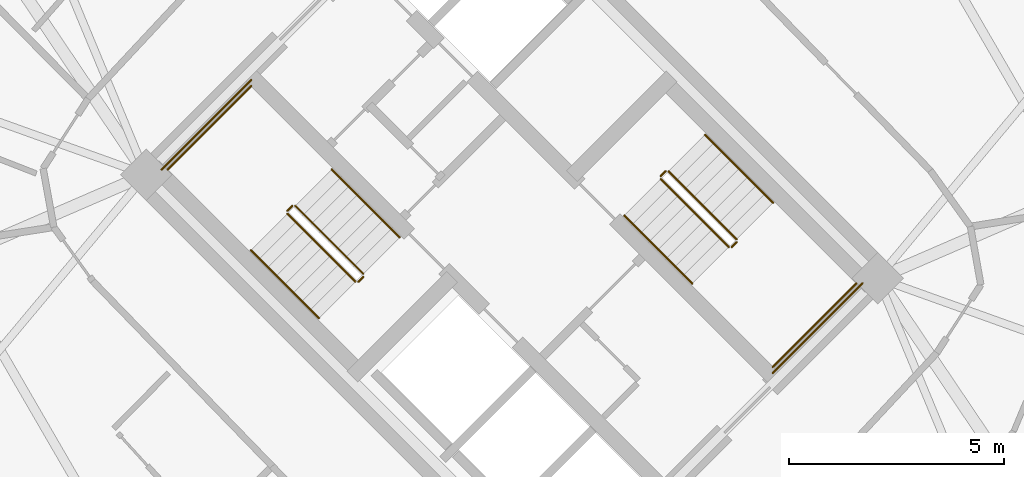
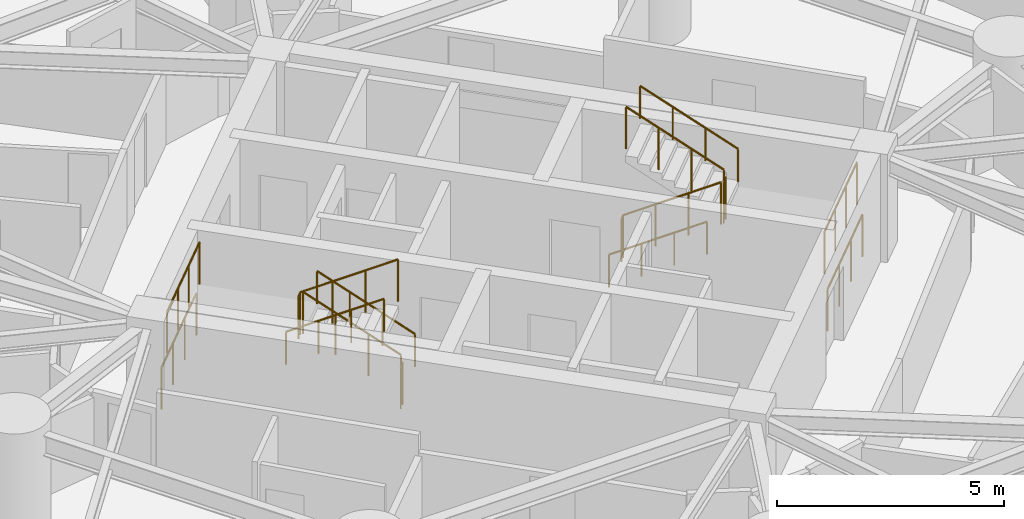
# One storey, part 17 of 18: 16 railings.
"""IFC4 building model written with IfcOpenShell, lengths in metres."""

from ifc_helpers import new_model, si_unit, direction, frame, origin, origin_2d, place, context, subcontext, project, spatial, circle, extrude, material, type_object, element, save


model = new_model("IFC4")

# Units and contexts
model_context = context("Model", 3, precision=1e-05, world=origin(), true_north=direction((0.0, 1.0)))
body_context = subcontext(model_context, "Body", "Model", "MODEL_VIEW")
ifc_project = project(units=[si_unit("LENGTHUNIT", "METRE"), si_unit("AREAUNIT", "SQUARE_METRE"), si_unit("VOLUMEUNIT", "CUBIC_METRE"), si_unit("PLANEANGLEUNIT", "RADIAN"), si_unit("MASSUNIT", "GRAM", prefix="KILO")], contexts=[model_context])

# Site, building, storey
site_placement = place(None, origin())
site = spatial("IfcSite", under=ifc_project, at=site_placement, CompositionType="ELEMENT")
building_placement = place(site_placement, origin())
building = spatial("IfcBuilding", under=site, at=building_placement, Name="Cununo Teusaquillo Station Towers", CompositionType="ELEMENT")
storey_placement = place(building_placement, frame((0.0, 0.0, 51.10009765625)))
storey = spatial("IfcBuildingStorey", under=building, at=storey_placement, Name="L15", CompositionType="ELEMENT", Elevation=51.10009765625)

# Railings
ifc_material_1 = material(Name="Steel EN 10025-2 S355J2", Category="steel")
railing_type_1 = type_object("IfcRailingType", Name="RL-INT-GUARD", PredefinedType="GUARDRAIL", material=ifc_material_1)
railing_1_placement = place(storey_placement, frame((54.03515625, 23.39697265625, 0.16162109375)))
element("IfcRailing", 1, at=railing_1_placement, inside=storey, type_object=railing_type_1, Name="L15 ST-T2-1 stair guard 1", PredefinedType="GUARDRAIL", context=body_context, shape_type="SweptSolid", body=[
    extrude(circle(Radius=0.02392578125, at=origin_2d()), frame((0.0, 0.0, 1.1259765625), z_axis=(-0.612361259024, 0.612361259024, 0.500027376144), x_axis=(-0.707106781187, -0.707106781187, 0.0)), (0.0, 0.0, 1.0), 2.586181640625),
    extrude(circle(Radius=0.02099609375, at=origin_2d()), origin(), (0.0, 0.0, 1.0), 1.101806640625),
    extrude(circle(Radius=0.02099609375, at=origin_2d()), frame((-0.52783203125, 0.52783203125, 0.43115234375)), (0.0, 0.0, 1.0), 1.101806640625),
    extrude(circle(Radius=0.02099609375, at=origin_2d()), frame((-1.055908203125, 1.055908203125, 0.862060546875)), (0.0, 0.0, 1.0), 1.101806640625),
    extrude(circle(Radius=0.02099609375, at=origin_2d()), frame((-1.583740234375, 1.583740234375, 1.293212890625)), (0.0, 0.0, 1.0), 1.101806640625),
])
railing_2_placement = place(storey_placement, frame((52.380615234375, 24.980712890625, 1.454833984375)))
element("IfcRailing", 2, at=railing_2_placement, inside=storey, type_object=railing_type_1, Name="L15 ST-T2-1 stair guard 2", PredefinedType="GUARDRAIL", context=body_context, shape_type="SweptSolid", body=[
    extrude(circle(Radius=0.02392578125, at=origin_2d()), frame((0.0, 0.0, 1.1259765625), z_axis=(-0.7078691598, -0.706343579714, 0.0), x_axis=(0.706343579714, -0.7078691598, 0.0)), (0.0, 0.0, 1.0), 0.159912109375),
    extrude(circle(Radius=0.02099609375, at=origin_2d()), origin(), (0.0, 0.0, 1.0), 1.101806640625),
    extrude(circle(Radius=0.02099609375, at=origin_2d()), frame((-0.11328125, -0.113037109375, 0.0)), (0.0, 0.0, 1.0), 1.101806640625),
])
railing_3_placement = place(storey_placement, frame((51.426025390625, 27.77392578125, 1.454833984375)))
element("IfcRailing", 3, at=railing_3_placement, inside=storey, type_object=railing_type_1, Name="L15 ST-T2-1 stair guard 3", PredefinedType="GUARDRAIL", context=body_context, shape_type="SweptSolid", body=[
    extrude(circle(Radius=0.02392578125, at=origin_2d()), frame((0.0, 0.0, 1.1259765625), z_axis=(-0.707106781187, -0.707106781187, 0.0), x_axis=(0.707106781187, -0.707106781187, 0.0)), (0.0, 0.0, 1.0), 2.760009765625),
    extrude(circle(Radius=0.02099609375, at=origin_2d()), origin(), (0.0, 0.0, 1.0), 1.101806640625),
    extrude(circle(Radius=0.02099609375, at=origin_2d()), frame((-0.650634765625, -0.650634765625, 0.0)), (0.0, 0.0, 1.0), 1.101806640625),
    extrude(circle(Radius=0.02099609375, at=origin_2d()), frame((-1.301025390625, -1.301025390625, 0.0)), (0.0, 0.0, 1.0), 1.101806640625),
    extrude(circle(Radius=0.02099609375, at=origin_2d()), frame((-1.95166015625, -1.95166015625, 0.0)), (0.0, 0.0, 1.0), 1.101806640625),
])
railing_4_placement = place(storey_placement, frame((52.267333984375, 24.796875, 1.616455078125)))
element("IfcRailing", 4, at=railing_4_placement, inside=storey, type_object=railing_type_1, Name="L15 ST-T2-1 stair guard 4", PredefinedType="GUARDRAIL", context=body_context, shape_type="SweptSolid", body=[
    extrude(circle(Radius=0.02392578125, at=origin_2d()), frame((0.0, 0.0, 1.1259765625), z_axis=(0.612391349474, -0.612296961165, 0.500069261639), x_axis=(0.707052281454, 0.707161276719, 0.0)), (0.0, 0.0, 1.0), 2.586669921875),
    extrude(circle(Radius=0.02099609375, at=origin_2d()), origin(), (0.0, 0.0, 1.0), 1.101806640625),
    extrude(circle(Radius=0.02099609375, at=origin_2d()), frame((0.528076171875, -0.52783203125, 0.43115234375)), (0.0, 0.0, 1.0), 1.101806640625),
    extrude(circle(Radius=0.02099609375, at=origin_2d()), frame((1.055908203125, -1.055908203125, 0.8623046875)), (0.0, 0.0, 1.0), 1.101806640625),
    extrude(circle(Radius=0.02099609375, at=origin_2d()), frame((1.583984375, -1.583740234375, 1.29345703125)), (0.0, 0.0, 1.0), 1.101806640625),
])
railing_5_placement = place(storey_placement, frame((54.03515625, 23.326171875, 0.0)))
element("IfcRailing", 5, at=railing_5_placement, inside=storey, type_object=railing_type_1, Name="L15 ST-T2-1 stair guard 5", PredefinedType="GUARDRAIL", context=body_context, shape_type="SweptSolid", body=[
    extrude(circle(Radius=0.02392578125, at=origin_2d()), frame((0.0, 0.0, 1.1259765625), z_axis=(-0.707106781187, -0.707106781187, 0.0), x_axis=(0.707106781187, -0.707106781187, 0.0)), (0.0, 0.0, 1.0), 0.159912109375),
    extrude(circle(Radius=0.02099609375, at=origin_2d()), origin(), (0.0, 0.0, 1.0), 1.101806640625),
    extrude(circle(Radius=0.02099609375, at=origin_2d()), frame((-0.113037109375, -0.113037109375, 0.0)), (0.0, 0.0, 1.0), 1.101806640625),
])
railing_6_placement = place(storey_placement, frame((51.426025390625, 27.915283203125, 0.0)))
element("IfcRailing", 6, at=railing_6_placement, inside=storey, type_object=railing_type_1, Name="L15 ST-T2-1 stair guard 6", PredefinedType="GUARDRAIL", context=body_context, shape_type="SweptSolid", body=[
    extrude(circle(Radius=0.02392578125, at=origin_2d()), frame((0.0, 0.0, 1.1259765625), z_axis=(-0.707106781187, -0.707106781187, 0.0), x_axis=(0.707106781187, -0.707106781187, 0.0)), (0.0, 0.0, 1.0), 2.9599609375),
    extrude(circle(Radius=0.02099609375, at=origin_2d()), origin(), (0.0, 0.0, 1.0), 1.101806640625),
    extrude(circle(Radius=0.02099609375, at=origin_2d()), frame((-0.69775390625, -0.69775390625, 0.0)), (0.0, 0.0, 1.0), 1.101806640625),
    extrude(circle(Radius=0.02099609375, at=origin_2d()), frame((-1.395263671875, -1.395263671875, 0.0)), (0.0, 0.0, 1.0), 1.101806640625),
    extrude(circle(Radius=0.02099609375, at=origin_2d()), frame((-2.093017578125, -2.093017578125, 0.0)), (0.0, 0.0, 1.0), 1.101806640625),
])
railing_7_placement = place(storey_placement, frame((60.96484375, 25.60302734375, 0.16162109375)))
element("IfcRailing", 7, at=railing_7_placement, inside=storey, type_object=railing_type_1, Name="L15 ST-T2-2 stair guard 1", PredefinedType="GUARDRAIL", context=body_context, shape_type="SweptSolid", body=[
    extrude(circle(Radius=0.02392578125, at=origin_2d()), frame((0.0, 0.0, 1.1259765625), z_axis=(0.612361259024, -0.612361259024, 0.500027376144), x_axis=(0.707106781187, 0.707106781187, 0.0)), (0.0, 0.0, 1.0), 2.586181640625),
    extrude(circle(Radius=0.02099609375, at=origin_2d()), origin(), (0.0, 0.0, 1.0), 1.101806640625),
    extrude(circle(Radius=0.02099609375, at=origin_2d()), frame((0.52783203125, -0.52783203125, 0.43115234375)), (0.0, 0.0, 1.0), 1.101806640625),
    extrude(circle(Radius=0.02099609375, at=origin_2d()), frame((1.055908203125, -1.055908203125, 0.862060546875)), (0.0, 0.0, 1.0), 1.101806640625),
    extrude(circle(Radius=0.02099609375, at=origin_2d()), frame((1.583740234375, -1.583740234375, 1.293212890625)), (0.0, 0.0, 1.0), 1.101806640625),
])
railing_8_placement = place(storey_placement, frame((62.619384765625, 24.019287109375, 1.454833984375)))
element("IfcRailing", 8, at=railing_8_placement, inside=storey, type_object=railing_type_1, Name="L15 ST-T2-2 stair guard 2", PredefinedType="GUARDRAIL", context=body_context, shape_type="SweptSolid", body=[
    extrude(circle(Radius=0.02392578125, at=origin_2d()), frame((0.0, 0.0, 1.1259765625), z_axis=(0.7078691598, 0.706343579714, 0.0), x_axis=(-0.706343579714, 0.7078691598, 0.0)), (0.0, 0.0, 1.0), 0.159912109375),
    extrude(circle(Radius=0.02099609375, at=origin_2d()), origin(), (0.0, 0.0, 1.0), 1.101806640625),
    extrude(circle(Radius=0.02099609375, at=origin_2d()), frame((0.11328125, 0.113037109375, 0.0)), (0.0, 0.0, 1.0), 1.101806640625),
])
railing_9_placement = place(storey_placement, frame((63.573974609375, 21.22607421875, 1.454833984375)))
element("IfcRailing", 9, at=railing_9_placement, inside=storey, type_object=railing_type_1, Name="L15 ST-T2-2 stair guard 3", PredefinedType="GUARDRAIL", context=body_context, shape_type="SweptSolid", body=[
    extrude(circle(Radius=0.02392578125, at=origin_2d()), frame((0.0, 0.0, 1.1259765625), z_axis=(0.707106781187, 0.707106781187, 0.0), x_axis=(-0.707106781187, 0.707106781187, 0.0)), (0.0, 0.0, 1.0), 2.760009765625),
    extrude(circle(Radius=0.02099609375, at=origin_2d()), origin(), (0.0, 0.0, 1.0), 1.101806640625),
    extrude(circle(Radius=0.02099609375, at=origin_2d()), frame((0.650634765625, 0.650634765625, 0.0)), (0.0, 0.0, 1.0), 1.101806640625),
    extrude(circle(Radius=0.02099609375, at=origin_2d()), frame((1.301025390625, 1.301025390625, 0.0)), (0.0, 0.0, 1.0), 1.101806640625),
    extrude(circle(Radius=0.02099609375, at=origin_2d()), frame((1.95166015625, 1.95166015625, 0.0)), (0.0, 0.0, 1.0), 1.101806640625),
])
railing_10_placement = place(storey_placement, frame((62.732666015625, 24.203125, 1.616455078125)))
element("IfcRailing", 10, at=railing_10_placement, inside=storey, type_object=railing_type_1, Name="L15 ST-T2-2 stair guard 4", PredefinedType="GUARDRAIL", context=body_context, shape_type="SweptSolid", body=[
    extrude(circle(Radius=0.02392578125, at=origin_2d()), frame((0.0, 0.0, 1.1259765625), z_axis=(-0.612391349474, 0.612296961165, 0.500069261639), x_axis=(-0.707052281454, -0.707161276719, 0.0)), (0.0, 0.0, 1.0), 2.586669921875),
    extrude(circle(Radius=0.02099609375, at=origin_2d()), origin(), (0.0, 0.0, 1.0), 1.101806640625),
    extrude(circle(Radius=0.02099609375, at=origin_2d()), frame((-0.528076171875, 0.52783203125, 0.43115234375)), (0.0, 0.0, 1.0), 1.101806640625),
    extrude(circle(Radius=0.02099609375, at=origin_2d()), frame((-1.055908203125, 1.055908203125, 0.8623046875)), (0.0, 0.0, 1.0), 1.101806640625),
    extrude(circle(Radius=0.02099609375, at=origin_2d()), frame((-1.583984375, 1.583740234375, 1.29345703125)), (0.0, 0.0, 1.0), 1.101806640625),
])
railing_11_placement = place(storey_placement, frame((60.96484375, 25.673828125, 0.0)))
element("IfcRailing", 11, at=railing_11_placement, inside=storey, type_object=railing_type_1, Name="L15 ST-T2-2 stair guard 5", PredefinedType="GUARDRAIL", context=body_context, shape_type="SweptSolid", body=[
    extrude(circle(Radius=0.02392578125, at=origin_2d()), frame((0.0, 0.0, 1.1259765625), z_axis=(0.707106781187, 0.707106781187, 0.0), x_axis=(-0.707106781187, 0.707106781187, 0.0)), (0.0, 0.0, 1.0), 0.159912109375),
    extrude(circle(Radius=0.02099609375, at=origin_2d()), origin(), (0.0, 0.0, 1.0), 1.101806640625),
    extrude(circle(Radius=0.02099609375, at=origin_2d()), frame((0.113037109375, 0.113037109375, 0.0)), (0.0, 0.0, 1.0), 1.101806640625),
])
railing_12_placement = place(storey_placement, frame((63.573974609375, 21.084716796875, 0.0)))
element("IfcRailing", 12, at=railing_12_placement, inside=storey, type_object=railing_type_1, Name="L15 ST-T2-2 stair guard 6", PredefinedType="GUARDRAIL", context=body_context, shape_type="SweptSolid", body=[
    extrude(circle(Radius=0.02392578125, at=origin_2d()), frame((0.0, 0.0, 1.1259765625), z_axis=(0.707106781187, 0.707106781187, 0.0), x_axis=(-0.707106781187, 0.707106781187, 0.0)), (0.0, 0.0, 1.0), 2.9599609375),
    extrude(circle(Radius=0.02099609375, at=origin_2d()), origin(), (0.0, 0.0, 1.0), 1.101806640625),
    extrude(circle(Radius=0.02099609375, at=origin_2d()), frame((0.69775390625, 0.69775390625, 0.0)), (0.0, 0.0, 1.0), 1.101806640625),
    extrude(circle(Radius=0.02099609375, at=origin_2d()), frame((1.395263671875, 1.395263671875, 0.0)), (0.0, 0.0, 1.0), 1.101806640625),
    extrude(circle(Radius=0.02099609375, at=origin_2d()), frame((2.093017578125, 2.093017578125, 0.0)), (0.0, 0.0, 1.0), 1.101806640625),
])
ifc_material_2 = material(Name="Steel EN 10025-2 S355J2", Category="steel")
railing_type_2 = type_object("IfcRailingType", Name="RL-INT-HRAIL", PredefinedType="HANDRAIL", material=ifc_material_2)
railing_13_placement = place(storey_placement, frame((54.8837890625, 24.245361328125, 0.16162109375)))
element("IfcRailing", 13, at=railing_13_placement, inside=storey, type_object=railing_type_2, Name="L15 ST-T2-1 stair handrail 1", PredefinedType="HANDRAIL", context=body_context, shape_type="SweptSolid", body=[
    extrude(circle(Radius=0.02392578125, at=origin_2d()), frame((0.0, 0.0, 0.8759765625), z_axis=(-0.612384857071, 0.612384857071, 0.499969572735), x_axis=(-0.707106781187, -0.707106781187, 0.0)), (0.0, 0.0, 1.0), 2.586669921875),
    extrude(circle(Radius=0.02099609375, at=origin_2d()), origin(), (0.0, 0.0, 1.0), 0.851806640625),
    extrude(circle(Radius=0.02099609375, at=origin_2d()), frame((-0.528076171875, 0.528076171875, 0.43115234375)), (0.0, 0.0, 1.0), 0.851806640625),
    extrude(circle(Radius=0.02099609375, at=origin_2d()), frame((-1.055908203125, 1.055908203125, 0.862060546875)), (0.0, 0.0, 1.0), 0.851806640625),
    extrude(circle(Radius=0.02099609375, at=origin_2d()), frame((-1.583984375, 1.583984375, 1.293212890625)), (0.0, 0.0, 1.0), 0.851806640625),
])
railing_14_placement = place(storey_placement, frame((51.4189453125, 23.948486328125, 1.616455078125)))
element("IfcRailing", 14, at=railing_14_placement, inside=storey, type_object=railing_type_2, Name="L15 ST-T2-1 stair handrail 2", PredefinedType="HANDRAIL", context=body_context, shape_type="SweptSolid", body=[
    extrude(circle(Radius=0.02392578125, at=origin_2d()), frame((0.0, 0.0, 0.8759765625), z_axis=(0.612355957468, -0.612355957468, 0.500040361077), x_axis=(0.707106781187, 0.707106781187, 0.0)), (0.0, 0.0, 1.0), 2.586669921875),
    extrude(circle(Radius=0.02099609375, at=origin_2d()), origin(), (0.0, 0.0, 1.0), 0.851806640625),
    extrude(circle(Radius=0.02099609375, at=origin_2d()), frame((0.528076171875, -0.528076171875, 0.43115234375)), (0.0, 0.0, 1.0), 0.851806640625),
    extrude(circle(Radius=0.02099609375, at=origin_2d()), frame((1.055908203125, -1.055908203125, 0.8623046875)), (0.0, 0.0, 1.0), 0.851806640625),
    extrude(circle(Radius=0.02099609375, at=origin_2d()), frame((1.583984375, -1.583984375, 1.29345703125)), (0.0, 0.0, 1.0), 0.851806640625),
])
railing_15_placement = place(storey_placement, frame((60.1162109375, 24.754638671875, 0.16162109375)))
element("IfcRailing", 15, at=railing_15_placement, inside=storey, type_object=railing_type_2, Name="L15 ST-T2-2 stair handrail 1", PredefinedType="HANDRAIL", context=body_context, shape_type="SweptSolid", body=[
    extrude(circle(Radius=0.02392578125, at=origin_2d()), frame((0.0, 0.0, 0.8759765625), z_axis=(0.612384857071, -0.612384857071, 0.499969572735), x_axis=(0.707106781187, 0.707106781187, 0.0)), (0.0, 0.0, 1.0), 2.586669921875),
    extrude(circle(Radius=0.02099609375, at=origin_2d()), origin(), (0.0, 0.0, 1.0), 0.851806640625),
    extrude(circle(Radius=0.02099609375, at=origin_2d()), frame((0.528076171875, -0.528076171875, 0.43115234375)), (0.0, 0.0, 1.0), 0.851806640625),
    extrude(circle(Radius=0.02099609375, at=origin_2d()), frame((1.055908203125, -1.055908203125, 0.862060546875)), (0.0, 0.0, 1.0), 0.851806640625),
    extrude(circle(Radius=0.02099609375, at=origin_2d()), frame((1.583984375, -1.583984375, 1.293212890625)), (0.0, 0.0, 1.0), 0.851806640625),
])
railing_16_placement = place(storey_placement, frame((63.5810546875, 25.051513671875, 1.616455078125)))
element("IfcRailing", 16, at=railing_16_placement, inside=storey, type_object=railing_type_2, Name="L15 ST-T2-2 stair handrail 2", PredefinedType="HANDRAIL", context=body_context, shape_type="SweptSolid", body=[
    extrude(circle(Radius=0.02392578125, at=origin_2d()), frame((0.0, 0.0, 0.8759765625), z_axis=(-0.612355957468, 0.612355957468, 0.500040361077), x_axis=(-0.707106781187, -0.707106781187, 0.0)), (0.0, 0.0, 1.0), 2.586669921875),
    extrude(circle(Radius=0.02099609375, at=origin_2d()), origin(), (0.0, 0.0, 1.0), 0.851806640625),
    extrude(circle(Radius=0.02099609375, at=origin_2d()), frame((-0.528076171875, 0.528076171875, 0.43115234375)), (0.0, 0.0, 1.0), 0.851806640625),
    extrude(circle(Radius=0.02099609375, at=origin_2d()), frame((-1.055908203125, 1.055908203125, 0.8623046875)), (0.0, 0.0, 1.0), 0.851806640625),
    extrude(circle(Radius=0.02099609375, at=origin_2d()), frame((-1.583984375, 1.583984375, 1.29345703125)), (0.0, 0.0, 1.0), 0.851806640625),
])

save(model, "model.ifc")
